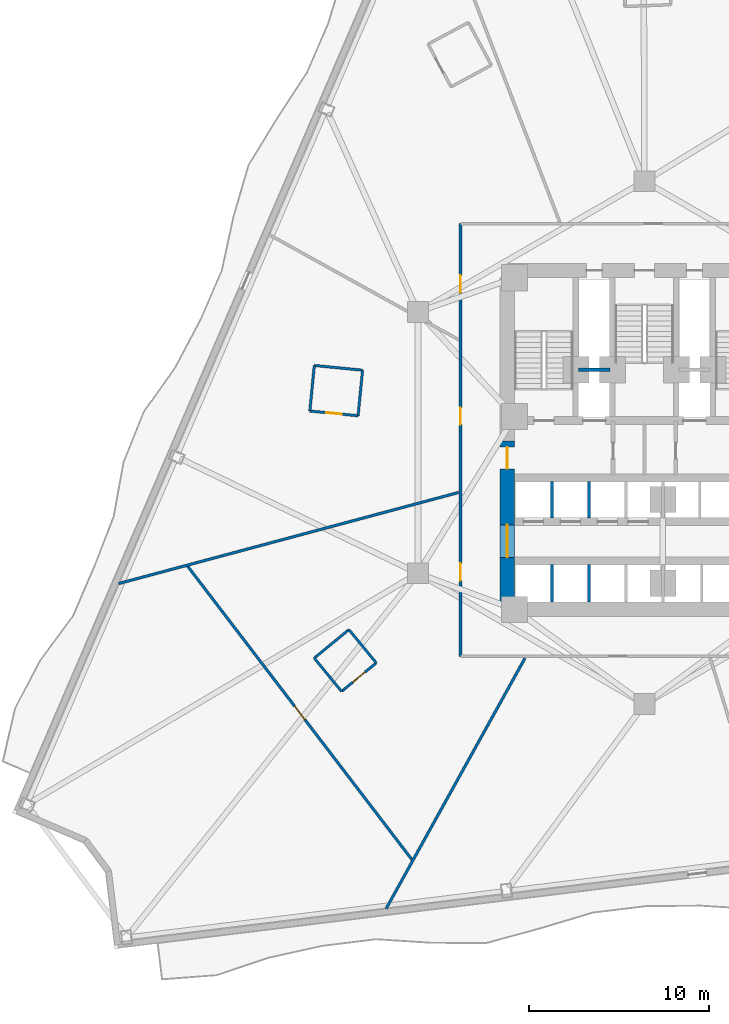
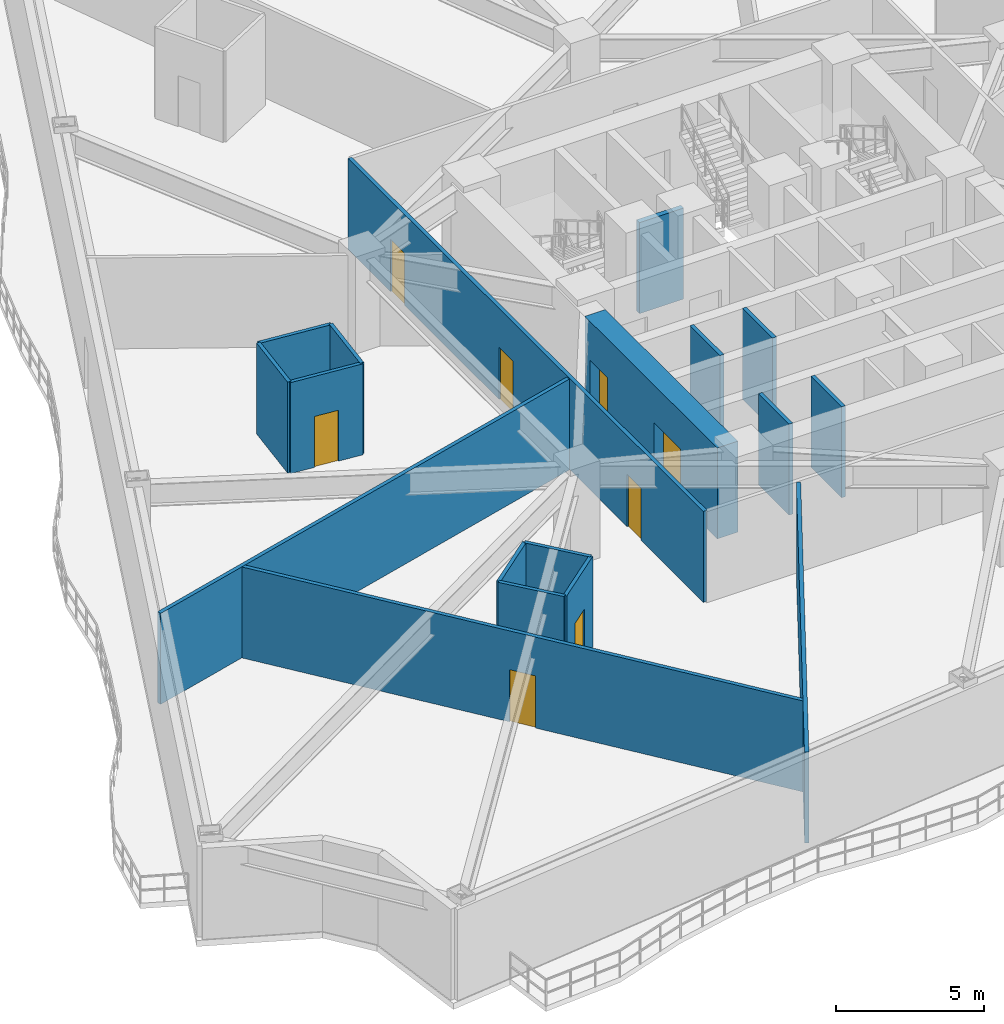
# One storey, part 3 of 13: 18 walls, 8 doors, 8 openings.
"""IFC4 building model written with IfcOpenShell, lengths in metres."""

from ifc_helpers import new_model, si_unit, direction, frame, frame_2d, origin, place, context, subcontext, project, spatial, rectangle, extrude, material, layer, layer_set, type_object, element, fill, save


model = new_model("IFC4")

# Units and contexts
model_context = context("Model", 3, precision=1e-05, world=origin(), true_north=direction((0.0, 1.0)))
body_context = subcontext(model_context, "Body", "Model", "MODEL_VIEW")
ifc_project = project(units=[si_unit("LENGTHUNIT", "METRE"), si_unit("AREAUNIT", "SQUARE_METRE"), si_unit("VOLUMEUNIT", "CUBIC_METRE"), si_unit("PLANEANGLEUNIT", "RADIAN"), si_unit("MASSUNIT", "GRAM", prefix="KILO")], contexts=[model_context])

# Site, building, storey
site_placement = place(None, origin())
site = spatial("IfcSite", under=ifc_project, at=site_placement, CompositionType="ELEMENT")
building_placement = place(site_placement, origin())
building = spatial("IfcBuilding", under=site, at=building_placement, Name="Apsidion Concourse Tower", CompositionType="ELEMENT")
storey_placement = place(building_placement, frame((0.0, 0.0, 67.0)))
storey = spatial("IfcBuildingStorey", under=building, at=storey_placement, Name="L14", CompositionType="ELEMENT", Elevation=67.0)

# Walls
ifc_material_1 = material(Name="Gypsum plasterboard partition")
ifc_layer_1 = layer(ifc_material_1, 0.139892578125)
ifc_layer_set_1 = layer_set([ifc_layer_1], Name="Gypsum plasterboard partition")
wall_type_1 = type_object("IfcWallType", Name="WL-INT-PAR-140", PredefinedType="PARTITIONING", material=ifc_layer_set_1)
wall_1_placement = place(storey_placement, frame((-16.39208984375, -10.3701171875, 0.0), z_axis=(0.0, 0.0, 1.0), x_axis=(-0.772758888186, -0.634699693342, 0.0)))
element("IfcWall", 1, at=wall_1_placement, inside=storey, type_object=wall_type_1, Name="L14 Interior Partition WL-L14-POD-HKAWC-S1", PredefinedType="PARTITIONING", context=body_context, shape_type="SweptSolid", body=[
    extrude(rectangle(XDim=2.489990234375, YDim=0.139892578125, at=frame_2d((1.2451171875, 0.0))), origin(), (0.0, 0.0, 1.0), 3.75),
])
wall_2_placement = place(storey_placement, frame((-18.316162109375, -11.950439453125, 0.0), z_axis=(0.0, 0.0, 1.0), x_axis=(0.634732888507, -0.772731622394, 0.0)))
element("IfcWall", 2, at=wall_2_placement, inside=storey, type_object=wall_type_1, Name="L14 Interior Partition WL-L14-POD-HKAWC-S2", PredefinedType="PARTITIONING", context=body_context, shape_type="SweptSolid", body=[
    extrude(rectangle(XDim=2.39013671875, YDim=0.139892578125, at=frame_2d((1.195068359375, 0.0))), origin(), (0.0, 0.0, 1.0), 3.75),
])

# Wall, opening, door
wall_3_placement = place(storey_placement, frame((-16.799072265625, -13.79736328125, 0.0), z_axis=(0.0, 0.0, 1.0), x_axis=(0.772710796724, 0.634758241085, 0.0)))
wall_3 = element("IfcWall", 3, at=wall_3_placement, inside=storey, type_object=wall_type_1, Name="L14 Interior Partition WL-L14-POD-HKAWC-S3", PredefinedType="PARTITIONING", context=body_context, shape_type="SweptSolid", body=[
    extrude(rectangle(XDim=2.489990234375, YDim=0.139892578125, at=frame_2d((1.2451171875, 0.0))), origin(), (0.0, 0.0, 1.0), 3.75),
])
opening_1_placement = place(wall_3_placement, frame((0.804931640625, 0.0, 0.0)))
opening_1 = element("IfcOpeningElement", 4, at=opening_1_placement, cuts=wall_3, Name="Opening D-03L", PredefinedType="OPENING", context=body_context, shape_type="SweptSolid", body=[
    extrude(rectangle(XDim=0.8798828125, YDim=2.10009765625, at=frame_2d((0.43994140625, 1.050048828125))), frame((0.0, 0.080078125, 0.0), z_axis=(0.0, -1.0, 0.0), x_axis=(1.0, 0.0, 0.0)), (0.0, 0.0, 1.0), 0.159912109375),
])
ifc_material_2 = material(Name="Anodised aluminium EN AW-6063 T6", Category="aluminium")
door_type_1 = type_object("IfcDoorType", Name="DR-INT-D03L", OperationType="SINGLE_SWING_LEFT", PredefinedType="DOOR", material=ifc_material_2)
door_1_placement = place(opening_1_placement, origin())
door_1 = element("IfcDoor", 5, at=door_1_placement, inside=storey, type_object=door_type_1, Name="L14 Hotel Accessible WC Door HKAWC", OperationType="SINGLE_SWING_LEFT", OverallHeight=2.10009765625, OverallWidth=0.8798828125, PredefinedType="DOOR", context=body_context, shape_type="SweptSolid", body=[
    extrude(rectangle(XDim=0.8798828125, YDim=2.10009765625, at=frame_2d((0.43994140625, 1.050048828125))), frame((0.0, 0.02490234375, 0.0), z_axis=(0.0, -1.0, 0.0), x_axis=(1.0, 0.0, 0.0)), (0.0, 0.0, 1.0), 0.050048828125),
])
fill(opening_1, door_1)

# Walls
wall_4_placement = place(storey_placement, frame((-14.875, -12.216796875, 0.0), z_axis=(0.0, 0.0, 1.0), x_axis=(-0.634782991325, 0.772690464497, 0.0)))
element("IfcWall", 6, at=wall_4_placement, inside=storey, type_object=wall_type_1, Name="L14 Interior Partition WL-L14-POD-HKAWC-S4", PredefinedType="PARTITIONING", context=body_context, shape_type="SweptSolid", body=[
    extrude(rectangle(XDim=2.389892578125, YDim=0.139892578125, at=frame_2d((1.19482421875, 0.0))), origin(), (0.0, 0.0, 1.0), 3.75),
])
wall_5_placement = place(storey_placement, frame((-15.63525390625, 4.02099609375, 0.0), z_axis=(0.0, 0.0, 1.0), x_axis=(-0.99521970741, 0.097661322861, 0.0)))
element("IfcWall", 7, at=wall_5_placement, inside=storey, type_object=wall_type_1, Name="L14 Interior Partition WL-L14-POD-ENS09-S1", PredefinedType="PARTITIONING", context=body_context, shape_type="SweptSolid", body=[
    extrude(rectangle(XDim=2.68994140625, YDim=0.139892578125, at=frame_2d((1.344970703125, 0.0))), origin(), (0.0, 0.0, 1.0), 3.75),
])
wall_6_placement = place(storey_placement, frame((-18.312255859375, 4.28369140625, 0.0), z_axis=(0.0, 0.0, 1.0), x_axis=(-0.09764795322, -0.995221019288, 0.0)))
element("IfcWall", 8, at=wall_6_placement, inside=storey, type_object=wall_type_1, Name="L14 Interior Partition WL-L14-POD-ENS09-S2", PredefinedType="PARTITIONING", context=body_context, shape_type="SweptSolid", body=[
    extrude(rectangle(XDim=2.540283203125, YDim=0.139892578125, at=frame_2d((1.27001953125, 0.0))), origin(), (0.0, 0.0, 1.0), 3.75),
])

# Wall, opening, door
wall_7_placement = place(storey_placement, frame((-18.560302734375, 1.755615234375, 0.0), z_axis=(0.0, 0.0, 1.0), x_axis=(0.995229389094, -0.097562611096, 0.0)))
wall_7 = element("IfcWall", 9, at=wall_7_placement, inside=storey, type_object=wall_type_1, Name="L14 Interior Partition WL-L14-POD-ENS09-S3", PredefinedType="PARTITIONING", context=body_context, shape_type="SweptSolid", body=[
    extrude(rectangle(XDim=2.690185546875, YDim=0.139892578125, at=frame_2d((1.34521484375, 0.0))), origin(), (0.0, 0.0, 1.0), 3.75),
])
opening_2_placement = place(wall_7_placement, frame((0.905029296875, 0.0, 0.0)))
opening_2 = element("IfcOpeningElement", 10, at=opening_2_placement, cuts=wall_7, Name="Opening D-03R", PredefinedType="OPENING", context=body_context, shape_type="SweptSolid", body=[
    extrude(rectangle(XDim=0.8798828125, YDim=2.10009765625, at=frame_2d((0.43994140625, 1.050048828125))), frame((0.0, 0.080078125, 0.0), z_axis=(0.0, -1.0, 0.0), x_axis=(1.0, 0.0, 0.0)), (0.0, 0.0, 1.0), 0.159912109375),
])
door_type_2 = type_object("IfcDoorType", Name="DR-INT-D03R", OperationType="SINGLE_SWING_RIGHT", PredefinedType="DOOR", material=ifc_material_2)
door_2_placement = place(opening_2_placement, origin())
door_2 = element("IfcDoor", 11, at=door_2_placement, inside=storey, type_object=door_type_2, Name="L14 Guest En-Suite Bathroom Door ENS09", OperationType="SINGLE_SWING_RIGHT", OverallHeight=2.10009765625, OverallWidth=0.8798828125, PredefinedType="DOOR", context=body_context, shape_type="SweptSolid", body=[
    extrude(rectangle(XDim=0.8798828125, YDim=2.10009765625, at=frame_2d((0.43994140625, 1.050048828125))), frame((0.0, 0.02490234375, 0.0), z_axis=(0.0, -1.0, 0.0), x_axis=(1.0, 0.0, 0.0)), (0.0, 0.0, 1.0), 0.050048828125),
])
fill(opening_2, door_2)

# Walls
wall_8_placement = place(storey_placement, frame((-15.883056640625, 1.4931640625, 0.0), z_axis=(0.0, 0.0, 1.0), x_axis=(0.097562090184, 0.995229440159, 0.0)))
element("IfcWall", 12, at=wall_8_placement, inside=storey, type_object=wall_type_1, Name="L14 Interior Partition WL-L14-POD-ENS09-S4", PredefinedType="PARTITIONING", context=body_context, shape_type="SweptSolid", body=[
    extrude(rectangle(XDim=2.5400390625, YDim=0.139892578125, at=frame_2d((1.27001953125, 0.0))), origin(), (0.0, 0.0, 1.0), 3.75),
])
ifc_layer_2 = layer(ifc_material_1, 0.14990234375)
ifc_layer_set_2 = layer_set([ifc_layer_2], Name="Gypsum plasterboard partition")
wall_type_2 = type_object("IfcWallType", Name="WL-INT-PAR-150", PredefinedType="PARTITIONING", material=ifc_layer_set_2)
for number, where, z_axis, x_axis, name in (
    (13, (-5.125, -4.179931640625, 0.0), (0.0, 0.0, 1.0), (0.0, 1.0, 0.0), "L14 Interior Partition WL-L14-B1DIV-1"),
    (14, (-3.074951171875, -4.179931640625, 0.0), (0.0, 0.0, 1.0), (0.0, 1.0, 0.0), "L14 Interior Partition WL-L14-B1DIV-2"),
):
    element("IfcWall", number, at=place(storey_placement, frame(where, z_axis=z_axis, x_axis=x_axis)), inside=storey, type_object=wall_type_2, Name=name, PredefinedType="PARTITIONING", context=body_context, shape_type="SweptSolid", body=[
        extrude(rectangle(XDim=2.030029296875, YDim=0.14990234375, at=frame_2d((1.01513671875, 0.0))), origin(), (0.0, 0.0, 1.0), 3.75),
    ])
for number, where, z_axis, x_axis, name in (
    (15, (-5.125, -8.85009765625, 0.0), (0.0, 0.0, 1.0), (0.0, 1.0, 0.0), "L14 Interior Partition WL-L14-B2DIV-1"),
    (16, (-3.074951171875, -8.85009765625, 0.0), (0.0, 0.0, 1.0), (0.0, 1.0, 0.0), "L14 Interior Partition WL-L14-B2DIV-2"),
):
    element("IfcWall", number, at=place(storey_placement, frame(where, z_axis=z_axis, x_axis=x_axis)), inside=storey, type_object=wall_type_2, Name=name, PredefinedType="PARTITIONING", context=body_context, shape_type="SweptSolid", body=[
        extrude(rectangle(XDim=2.080078125, YDim=0.14990234375, at=frame_2d((1.0400390625, 0.0))), origin(), (0.0, 0.0, 1.0), 3.75),
    ])

# Wall, openings, doors
wall_9_placement = place(storey_placement, frame((-10.199951171875, -11.85009765625, 0.0), z_axis=(0.0, 0.0, 1.0), x_axis=(0.0, 1.0, 0.0)))
wall_9 = element("IfcWall", 17, at=wall_9_placement, inside=storey, type_object=wall_type_2, Name="L14 Interior Partition WL-L14-CORR-04", PredefinedType="PARTITIONING", context=body_context, shape_type="SweptSolid", body=[
    extrude(rectangle(XDim=24.0, YDim=0.14990234375, at=frame_2d((12.0, 0.0))), origin(), (0.0, 0.0, 1.0), 3.75),
])
opening_3_placement = place(wall_9_placement, frame((4.2001953125, 0.0, 0.0)))
opening_3 = element("IfcOpeningElement", 18, at=opening_3_placement, cuts=wall_9, Name="Opening D-01L", PredefinedType="OPENING", context=body_context, shape_type="SweptSolid", body=[
    extrude(rectangle(XDim=0.949951171875, YDim=2.14990234375, at=frame_2d((0.47509765625, 1.074951171875))), frame((0.0, 0.0849609375, 0.0), z_axis=(0.0, -1.0, 0.0), x_axis=(1.0, 0.0, 0.0)), (0.0, 0.0, 1.0), 0.169921875),
])
opening_4_placement = place(wall_9_placement, frame((20.177001953125, 0.0, 0.0)))
opening_4 = element("IfcOpeningElement", 19, at=opening_4_placement, cuts=wall_9, Name="Opening D-01L", PredefinedType="OPENING", context=body_context, shape_type="SweptSolid", body=[
    extrude(rectangle(XDim=0.949951171875, YDim=2.14990234375, at=frame_2d((0.47509765625, 1.074951171875))), frame((0.0, 0.0849609375, 0.0), z_axis=(0.0, -1.0, 0.0), x_axis=(1.0, 0.0, 0.0)), (0.0, 0.0, 1.0), 0.169921875),
])
opening_5_placement = place(wall_9_placement, frame((12.849853515625, 0.0, 0.0)))
opening_5 = element("IfcOpeningElement", 20, at=opening_5_placement, cuts=wall_9, Name="Opening D-01R", PredefinedType="OPENING", context=body_context, shape_type="SweptSolid", body=[
    extrude(rectangle(XDim=0.949951171875, YDim=2.14990234375, at=frame_2d((0.47509765625, 1.074951171875))), frame((0.0, 0.0849609375, 0.0), z_axis=(0.0, -1.0, 0.0), x_axis=(1.0, 0.0, 0.0)), (0.0, 0.0, 1.0), 0.169921875),
])
ifc_material_3 = material(Name="Brushed stainless steel 316", Category="steel")
door_type_3 = type_object("IfcDoorType", Name="DR-INT-D01L", OperationType="SINGLE_SWING_LEFT", PredefinedType="DOOR", material=ifc_material_3)
door_3_placement = place(opening_3_placement, origin())
door_3 = element("IfcDoor", 21, at=door_3_placement, inside=storey, type_object=door_type_3, Name="L14 Corridor Entry Door 01", OperationType="SINGLE_SWING_LEFT", OverallHeight=2.14990234375, OverallWidth=0.949951171875, PredefinedType="DOOR", context=body_context, shape_type="SweptSolid", body=[
    extrude(rectangle(XDim=0.949951171875, YDim=2.14990234375, at=frame_2d((0.47509765625, 1.074951171875))), frame((0.0, 0.02490234375, 0.0), z_axis=(0.0, -1.0, 0.0), x_axis=(1.0, 0.0, 0.0)), (0.0, 0.0, 1.0), 0.050048828125),
])
fill(opening_3, door_3)
door_4_placement = place(opening_4_placement, origin())
door_4 = element("IfcDoor", 22, at=door_4_placement, inside=storey, type_object=door_type_3, Name="L14 Corridor Entry Door 09", OperationType="SINGLE_SWING_LEFT", OverallHeight=2.14990234375, OverallWidth=0.949951171875, PredefinedType="DOOR", context=body_context, shape_type="SweptSolid", body=[
    extrude(rectangle(XDim=0.949951171875, YDim=2.14990234375, at=frame_2d((0.47509765625, 1.074951171875))), frame((0.0, 0.02490234375, 0.0), z_axis=(0.0, -1.0, 0.0), x_axis=(1.0, 0.0, 0.0)), (0.0, 0.0, 1.0), 0.050048828125),
])
fill(opening_4, door_4)
door_type_4 = type_object("IfcDoorType", Name="DR-INT-D01R", OperationType="SINGLE_SWING_RIGHT", PredefinedType="DOOR", material=ifc_material_3)
door_5_placement = place(opening_5_placement, origin())
door_5 = element("IfcDoor", 23, at=door_5_placement, inside=storey, type_object=door_type_4, Name="L14 Corridor Entry Door 10", OperationType="SINGLE_SWING_RIGHT", OverallHeight=2.14990234375, OverallWidth=0.949951171875, PredefinedType="DOOR", context=body_context, shape_type="SweptSolid", body=[
    extrude(rectangle(XDim=0.949951171875, YDim=2.14990234375, at=frame_2d((0.47509765625, 1.074951171875))), frame((0.0, 0.02490234375, 0.0), z_axis=(0.0, -1.0, 0.0), x_axis=(1.0, 0.0, 0.0)), (0.0, 0.0, 1.0), 0.050048828125),
])
fill(opening_5, door_5)

# Walls
wall_10_placement = place(storey_placement, frame((-10.304931640625, -2.76123046875, 0.0), z_axis=(0.0, 0.0, 1.0), x_axis=(-0.965924834834, -0.258822745235, 0.0)))
element("IfcWall", 24, at=wall_10_placement, inside=storey, type_object=wall_type_2, Name="L14 Interior Partition WL-L14-RAD-05-1", PredefinedType="PARTITIONING", context=body_context, shape_type="SweptSolid", body=[
    extrude(rectangle(XDim=19.526611328125, YDim=0.14990234375, at=frame_2d((9.76318359375, 0.0))), origin(), (0.0, 0.0, 1.0), 3.75),
])
wall_11_placement = place(storey_placement, frame((-6.626708984375, -11.955078125, 0.0), z_axis=(0.0, 0.0, 1.0), x_axis=(-0.484820870794, -0.874613470764, 0.0)))
element("IfcWall", 25, at=wall_11_placement, inside=storey, type_object=wall_type_2, Name="L14 Interior Partition WL-L14-RAD-06-1", PredefinedType="PARTITIONING", context=body_context, shape_type="SweptSolid", body=[
    extrude(rectangle(XDim=15.89013671875, YDim=0.14990234375, at=frame_2d((7.945068359375, 0.0))), origin(), (0.0, 0.0, 1.0), 3.75),
])

# Wall, opening, door
wall_12_placement = place(storey_placement, frame((-25.3623046875, -6.82177734375, 0.0), z_axis=(0.0, 0.0, 1.0), x_axis=(0.607270366284, -0.794495249975, 0.0)))
wall_12 = element("IfcWall", 26, at=wall_12_placement, inside=storey, type_object=wall_type_2, Name="L14 Interior Partition WL-L14-CHD-HKWC", PredefinedType="PARTITIONING", context=body_context, shape_type="SweptSolid", body=[
    extrude(rectangle(XDim=20.57177734375, YDim=0.14990234375, at=frame_2d((10.285888671875, 0.0))), origin(), (0.0, 0.0, 1.0), 3.75),
])
opening_6_placement = place(wall_12_placement, frame((9.81103515625, 0.0, 0.0)))
opening_6 = element("IfcOpeningElement", 27, at=opening_6_placement, cuts=wall_12, Name="Opening D-04R", PredefinedType="OPENING", context=body_context, shape_type="SweptSolid", body=[
    extrude(rectangle(XDim=0.949951171875, YDim=2.14990234375, at=frame_2d((0.47509765625, 1.074951171875))), frame((0.0, 0.0849609375, 0.0), z_axis=(0.0, -1.0, 0.0), x_axis=(1.0, 0.0, 0.0)), (0.0, 0.0, 1.0), 0.169921875),
])
door_type_5 = type_object("IfcDoorType", Name="DR-INT-D04R", OperationType="SINGLE_SWING_RIGHT", PredefinedType="DOOR", material=ifc_material_3)
door_6_placement = place(opening_6_placement, origin())
door_6 = element("IfcDoor", 28, at=door_6_placement, inside=storey, type_object=door_type_5, Name="L14 Suite Connecting Door HKWC", OperationType="SINGLE_SWING_RIGHT", OverallHeight=2.14990234375, OverallWidth=0.949951171875, PredefinedType="DOOR", context=body_context, shape_type="SweptSolid", body=[
    extrude(rectangle(XDim=0.949951171875, YDim=2.14990234375, at=frame_2d((0.47509765625, 1.074951171875))), frame((0.0, 0.02490234375, 0.0), z_axis=(0.0, -1.0, 0.0), x_axis=(1.0, 0.0, 0.0)), (0.0, 0.0, 1.0), 0.050048828125),
])
fill(opening_6, door_6)

# Wall
ifc_layer_3 = layer(ifc_material_1, 0.199951171875)
ifc_layer_set_3 = layer_set([ifc_layer_3], Name="Gypsum plasterboard partition")
wall_type_3 = type_object("IfcWallType", Name="WL-INT-PAR-200", PredefinedType="PARTITIONING", material=ifc_layer_set_3)
wall_13_placement = place(storey_placement, frame((-3.64990234375, 4.050048828125, 0.0), z_axis=(0.0, 0.0, 1.0), x_axis=(1.0, 0.0, 0.0)))
element("IfcWall", 29, at=wall_13_placement, inside=storey, type_object=wall_type_3, Name="L14 Interior Partition WL-L14-FF1-N", PredefinedType="PARTITIONING", context=body_context, shape_type="SweptSolid", body=[
    extrude(rectangle(XDim=1.72998046875, YDim=0.199951171875, at=frame_2d((0.864990234375, 0.0))), origin(), (0.0, 0.0, 1.0), 3.75),
])

# Wall, openings, doors
ifc_material_4 = material(Name="Concrete C60/75", Category="concrete")
ifc_layer_4 = layer(ifc_material_4, 0.800048828125)
ifc_layer_set_4 = layer_set([ifc_layer_4], Name="Concrete C60/75")
wall_type_4 = type_object("IfcWallType", Name="WL-SH-800", PredefinedType="SHEAR", material=ifc_layer_set_4)
wall_14_placement = place(storey_placement, frame((-7.60009765625, -8.85009765625, 0.0), z_axis=(0.0, 0.0, 1.0), x_axis=(0.0, 1.0, 0.0)))
wall_14 = element("IfcWall", 30, at=wall_14_placement, inside=storey, type_object=wall_type_4, Name="L14 Central Core Shear Wall WS", PredefinedType="SHEAR", context=body_context, shape_type="SweptSolid", body=[
    extrude(rectangle(XDim=8.9501953125, YDim=0.800048828125, at=frame_2d((4.47509765625, 0.0))), origin(), (0.0, 0.0, 1.0), 3.75),
])
opening_7_placement = place(wall_14_placement, frame((2.489990234375, 0.0, 0.0)))
opening_7 = element("IfcOpeningElement", 31, at=opening_7_placement, cuts=wall_14, Name="Opening D-06D", PredefinedType="OPENING", context=body_context, shape_type="SweptSolid", body=[
    extrude(rectangle(XDim=1.800048828125, YDim=2.199951171875, at=frame_2d((0.89990234375, 1.10009765625))), frame((0.0, 0.41015625, 0.0), z_axis=(0.0, -1.0, 0.0), x_axis=(1.0, 0.0, 0.0)), (0.0, 0.0, 1.0), 0.820068359375),
])
opening_8_placement = place(wall_14_placement, frame((7.39990234375, 0.0, 0.0)))
opening_8 = element("IfcOpeningElement", 32, at=opening_8_placement, cuts=wall_14, Name="Opening D-FFL", PredefinedType="OPENING", context=body_context, shape_type="SweptSolid", body=[
    extrude(rectangle(XDim=1.199951171875, YDim=2.14990234375, at=frame_2d((0.60009765625, 1.074951171875))), frame((0.0, 0.41015625, 0.0), z_axis=(0.0, -1.0, 0.0), x_axis=(1.0, 0.0, 0.0)), (0.0, 0.0, 1.0), 0.820068359375),
])
door_type_6 = type_object("IfcDoorType", Name="DR-INT-D06D", OperationType="DOUBLE_DOOR_SINGLE_SWING", PredefinedType="DOOR", material=ifc_material_3)
door_7_placement = place(opening_7_placement, origin())
door_7 = element("IfcDoor", 33, at=door_7_placement, inside=storey, type_object=door_type_6, Name="L14 Passenger Lift Lobby WS Portal Door", OperationType="DOUBLE_DOOR_SINGLE_SWING", OverallHeight=2.199951171875, OverallWidth=1.800048828125, PredefinedType="DOOR", context=body_context, shape_type="SweptSolid", body=[
    extrude(rectangle(XDim=1.800048828125, YDim=2.199951171875, at=frame_2d((0.89990234375, 1.10009765625))), frame((0.0, 0.02490234375, 0.0), z_axis=(0.0, -1.0, 0.0), x_axis=(1.0, 0.0, 0.0)), (0.0, 0.0, 1.0), 0.050048828125),
])
fill(opening_7, door_7)
door_type_7 = type_object("IfcDoorType", Name="DR-INT-FFL", OperationType="SINGLE_SWING_LEFT", PredefinedType="DOOR", material=ifc_material_3)
door_8_placement = place(opening_8_placement, origin())
door_8 = element("IfcDoor", 34, at=door_8_placement, inside=storey, type_object=door_type_7, Name="L14 Firefighting Lift Lobby FF1 Door", OperationType="SINGLE_SWING_LEFT", OverallHeight=2.14990234375, OverallWidth=1.199951171875, PredefinedType="DOOR", context=body_context, shape_type="SweptSolid", body=[
    extrude(rectangle(XDim=1.199951171875, YDim=2.14990234375, at=frame_2d((0.60009765625, 1.074951171875))), frame((0.0, 0.02490234375, 0.0), z_axis=(0.0, -1.0, 0.0), x_axis=(1.0, 0.0, 0.0)), (0.0, 0.0, 1.0), 0.050048828125),
])
fill(opening_8, door_8)

save(model, "model.ifc")
